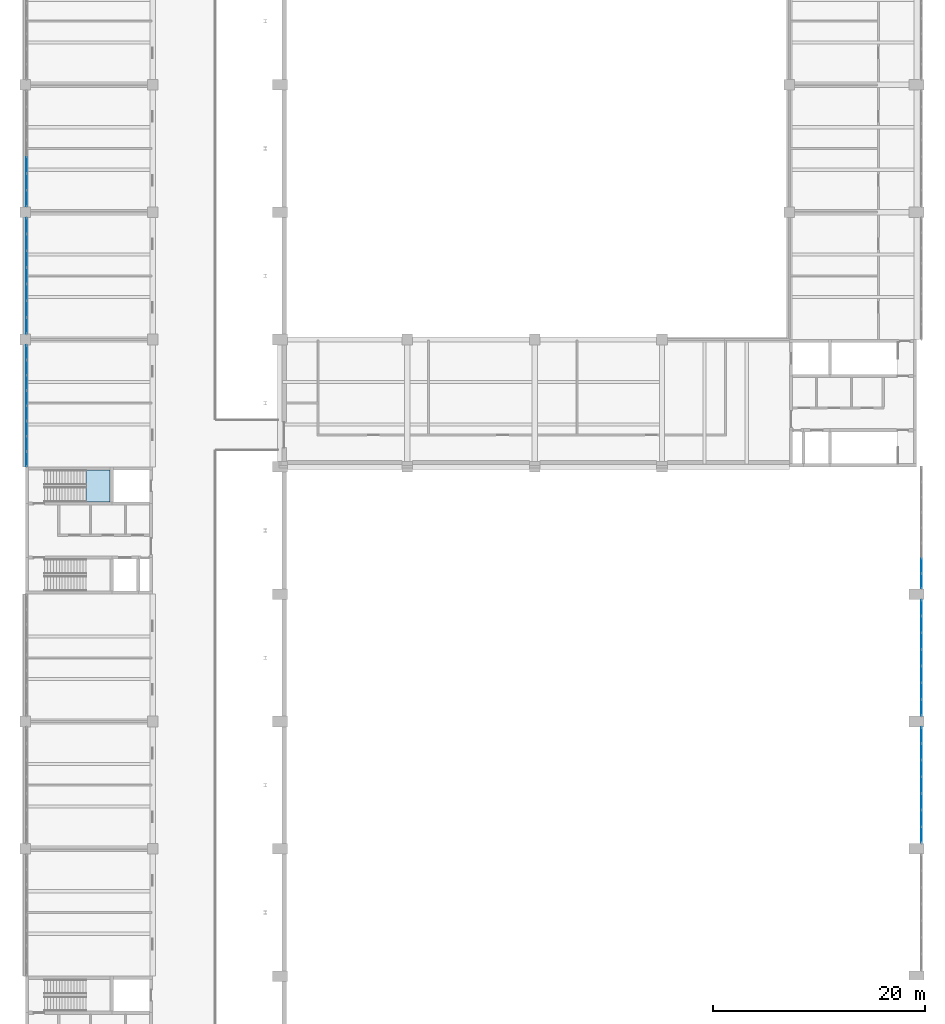
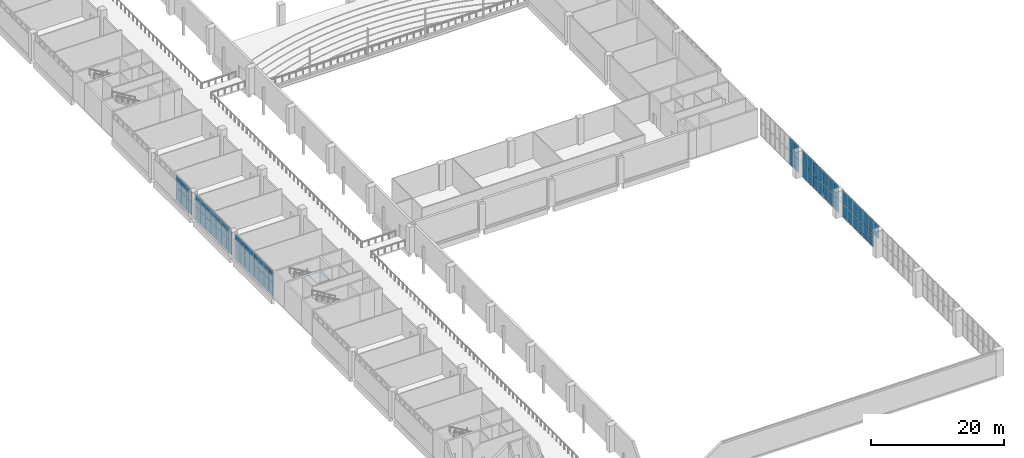
# One storey, part 44 of 69: 67 plates, 1 slab, 7 elements without a shape of their own.
"""IFC4 building model written with IfcOpenShell, lengths in metres."""

from ifc_helpers import new_model, si_unit, direction, frame, origin, origin_2d, place, context, subcontext, project, spatial, polyline, rectangle, outline, extrude, material, layer, layer_set, type_object, element, aggregate, save


model = new_model("IFC4")

# Units and contexts
model_context = context("Model", 3, precision=1e-05, world=origin(), true_north=direction((0.0, 1.0)))
body_context = subcontext(model_context, "Body", "Model", "MODEL_VIEW")
ifc_project = project(units=[si_unit("LENGTHUNIT", "METRE"), si_unit("AREAUNIT", "SQUARE_METRE"), si_unit("VOLUMEUNIT", "CUBIC_METRE"), si_unit("PLANEANGLEUNIT", "RADIAN"), si_unit("MASSUNIT", "GRAM", prefix="KILO")], contexts=[model_context])

# Site, building, storey
site_placement = place(None, origin())
site = spatial("IfcSite", under=ifc_project, at=site_placement, CompositionType="ELEMENT")
building_placement = place(site_placement, origin())
building = spatial("IfcBuilding", under=site, at=building_placement, Name="Lilac Gate Convention Centre", CompositionType="ELEMENT")
storey_placement = place(building_placement, frame((0.0, 0.0, 12.0)))
storey = spatial("IfcBuildingStorey", under=building, at=storey_placement, Name="L02", CompositionType="ELEMENT", Elevation=12.0)

# Curtain wall, plates
ifc_material_1 = material(Name="Aluminium framed double glazing", Category="aluminium")
ifc_layer_1 = layer(ifc_material_1, 0.199951171875)
ifc_layer_set_1 = layer_set([ifc_layer_1], Name="Aluminium framed double glazing")
curtain_wall_type = type_object("IfcCurtainWallType", Name="Unitised curtain wall 1500", PredefinedType="NOTDEFINED", material=ifc_layer_set_1)
curtain_wall_1_placement = place(storey_placement, origin())
curtain_wall_1 = element("IfcCurtainWall", 1, at=curtain_wall_1_placement, inside=storey, type_object=curtain_wall_type, Name="Curtain wall PW L02 6", PredefinedType="NOTDEFINED")
ifc_material_2 = material(Name="Double glazed unit low emissivity")
ifc_layer_2 = layer(ifc_material_2, 0.028076171875)
ifc_layer_set_2 = layer_set([ifc_layer_2], Name="Double glazed unit low emissivity")
plate_type_1 = type_object("IfcPlateType", Name="Curtain wall glass panel 28", PredefinedType="CURTAIN_PANEL", material=ifc_layer_set_2)
plate_1_placement = place(storey_placement, frame((6.10009765625, 130.428466796875, 2.4052734375), z_axis=(0.0, 0.0, 1.0), x_axis=(0.0, -1.0, 0.0)))
plate_1 = element("IfcPlate", 2, at=plate_1_placement, type_object=plate_type_1, Name="CW panel 5.2", PredefinedType="CURTAIN_PANEL", context=body_context, shape_type="SweptSolid", body=[
    extrude(rectangle(XDim=1.511474609375, YDim=0.028076171875, at=origin_2d()), origin(), (0.0, 0.0, 1.0), 2.284912109375),
])
plate_2_placement = place(storey_placement, frame((6.10009765625, 128.857177734375, 2.4052734375), z_axis=(0.0, 0.0, 1.0), x_axis=(0.0, -1.0, 0.0)))
plate_2 = element("IfcPlate", 3, at=plate_2_placement, type_object=plate_type_1, Name="CW panel 6.2", PredefinedType="CURTAIN_PANEL", context=body_context, shape_type="SweptSolid", body=[
    extrude(rectangle(XDim=1.511474609375, YDim=0.028076171875, at=origin_2d()), origin(), (0.0, 0.0, 1.0), 2.284912109375),
])
plate_3_placement = place(storey_placement, frame((6.10009765625, 127.30078125, 2.4052734375), z_axis=(0.0, 0.0, 1.0), x_axis=(0.0, -1.0, 0.0)))
plate_3 = element("IfcPlate", 4, at=plate_3_placement, type_object=plate_type_1, Name="CW panel 7.2", PredefinedType="CURTAIN_PANEL", context=body_context, shape_type="SweptSolid", body=[
    extrude(rectangle(XDim=1.4814453125, YDim=0.028076171875, at=origin_2d()), origin(), (0.0, 0.0, 1.0), 2.284912109375),
])

curtain_wall_2_placement = place(storey_placement, origin())
curtain_wall_2 = element("IfcCurtainWall", 5, at=curtain_wall_2_placement, inside=storey, type_object=curtain_wall_type, Name="Curtain wall PW L02 7", PredefinedType="NOTDEFINED")
plate_4_placement = place(storey_placement, frame((6.10009765625, 124.69921875, 2.4052734375), z_axis=(0.0, 0.0, 1.0), x_axis=(0.0, -1.0, 0.0)))
plate_4 = element("IfcPlate", 6, at=plate_4_placement, type_object=plate_type_1, Name="CW panel 1.2", PredefinedType="CURTAIN_PANEL", context=body_context, shape_type="SweptSolid", body=[
    extrude(rectangle(XDim=1.4814453125, YDim=0.028076171875, at=origin_2d()), origin(), (0.0, 0.0, 1.0), 2.284912109375),
])
plate_5_placement = place(storey_placement, frame((6.10009765625, 123.142822265625, 2.4052734375), z_axis=(0.0, 0.0, 1.0), x_axis=(0.0, -1.0, 0.0)))
plate_5 = element("IfcPlate", 7, at=plate_5_placement, type_object=plate_type_1, Name="CW panel 2.2", PredefinedType="CURTAIN_PANEL", context=body_context, shape_type="SweptSolid", body=[
    extrude(rectangle(XDim=1.511474609375, YDim=0.028076171875, at=origin_2d()), origin(), (0.0, 0.0, 1.0), 2.284912109375),
])
plate_6_placement = place(storey_placement, frame((6.10009765625, 121.571533203125, 2.4052734375), z_axis=(0.0, 0.0, 1.0), x_axis=(0.0, -1.0, 0.0)))
plate_6 = element("IfcPlate", 8, at=plate_6_placement, type_object=plate_type_1, Name="CW panel 3.2", PredefinedType="CURTAIN_PANEL", context=body_context, shape_type="SweptSolid", body=[
    extrude(rectangle(XDim=1.511474609375, YDim=0.028076171875, at=origin_2d()), origin(), (0.0, 0.0, 1.0), 2.284912109375),
])
plate_7_placement = place(storey_placement, frame((6.10009765625, 120.0, 2.4052734375), z_axis=(0.0, 0.0, 1.0), x_axis=(0.0, -1.0, 0.0)))
plate_7 = element("IfcPlate", 9, at=plate_7_placement, type_object=plate_type_1, Name="CW panel 4.2", PredefinedType="CURTAIN_PANEL", context=body_context, shape_type="SweptSolid", body=[
    extrude(rectangle(XDim=1.511474609375, YDim=0.028076171875, at=origin_2d()), origin(), (0.0, 0.0, 1.0), 2.284912109375),
])
plate_8_placement = place(storey_placement, frame((6.10009765625, 118.428466796875, 2.4052734375), z_axis=(0.0, 0.0, 1.0), x_axis=(0.0, -1.0, 0.0)))
plate_8 = element("IfcPlate", 10, at=plate_8_placement, type_object=plate_type_1, Name="CW panel 5.2", PredefinedType="CURTAIN_PANEL", context=body_context, shape_type="SweptSolid", body=[
    extrude(rectangle(XDim=1.511474609375, YDim=0.028076171875, at=origin_2d()), origin(), (0.0, 0.0, 1.0), 2.284912109375),
])
plate_9_placement = place(storey_placement, frame((6.10009765625, 116.857177734375, 2.4052734375), z_axis=(0.0, 0.0, 1.0), x_axis=(0.0, -1.0, 0.0)))
plate_9 = element("IfcPlate", 11, at=plate_9_placement, type_object=plate_type_1, Name="CW panel 6.2", PredefinedType="CURTAIN_PANEL", context=body_context, shape_type="SweptSolid", body=[
    extrude(rectangle(XDim=1.511474609375, YDim=0.028076171875, at=origin_2d()), origin(), (0.0, 0.0, 1.0), 2.284912109375),
])
plate_10_placement = place(storey_placement, frame((6.10009765625, 115.30078125, 2.4052734375), z_axis=(0.0, 0.0, 1.0), x_axis=(0.0, -1.0, 0.0)))
plate_10 = element("IfcPlate", 12, at=plate_10_placement, type_object=plate_type_1, Name="CW panel 7.2", PredefinedType="CURTAIN_PANEL", context=body_context, shape_type="SweptSolid", body=[
    extrude(rectangle(XDim=1.4814453125, YDim=0.028076171875, at=origin_2d()), origin(), (0.0, 0.0, 1.0), 2.284912109375),
])

curtain_wall_3_placement = place(storey_placement, origin())
curtain_wall_3 = element("IfcCurtainWall", 13, at=curtain_wall_3_placement, inside=storey, type_object=curtain_wall_type, Name="Curtain wall PW L02 8", PredefinedType="NOTDEFINED")
plate_11_placement = place(storey_placement, frame((6.10009765625, 112.766357421875, 2.4052734375), z_axis=(0.0, 0.0, 1.0), x_axis=(0.0, -1.0, 0.0)))
plate_11 = element("IfcPlate", 14, at=plate_11_placement, type_object=plate_type_1, Name="CW panel 1.2", PredefinedType="CURTAIN_PANEL", context=body_context, shape_type="SweptSolid", body=[
    extrude(rectangle(XDim=1.347412109375, YDim=0.028076171875, at=origin_2d()), origin(), (0.0, 0.0, 1.0), 2.284912109375),
])
plate_12_placement = place(storey_placement, frame((6.10009765625, 111.34375, 2.4052734375), z_axis=(0.0, 0.0, 1.0), x_axis=(0.0, -1.0, 0.0)))
plate_12 = element("IfcPlate", 15, at=plate_12_placement, type_object=plate_type_1, Name="CW panel 2.2", PredefinedType="CURTAIN_PANEL", context=body_context, shape_type="SweptSolid", body=[
    extrude(rectangle(XDim=1.37744140625, YDim=0.028076171875, at=origin_2d()), origin(), (0.0, 0.0, 1.0), 2.284912109375),
])
plate_13_placement = place(storey_placement, frame((6.10009765625, 109.90625, 2.4052734375), z_axis=(0.0, 0.0, 1.0), x_axis=(0.0, -1.0, 0.0)))
plate_13 = element("IfcPlate", 16, at=plate_13_placement, type_object=plate_type_1, Name="CW panel 3.2", PredefinedType="CURTAIN_PANEL", context=body_context, shape_type="SweptSolid", body=[
    extrude(rectangle(XDim=1.37744140625, YDim=0.028076171875, at=origin_2d()), origin(), (0.0, 0.0, 1.0), 2.284912109375),
])
plate_14_placement = place(storey_placement, frame((6.10009765625, 108.46875, 2.4052734375), z_axis=(0.0, 0.0, 1.0), x_axis=(0.0, -1.0, 0.0)))
plate_14 = element("IfcPlate", 17, at=plate_14_placement, type_object=plate_type_1, Name="CW panel 4.2", PredefinedType="CURTAIN_PANEL", context=body_context, shape_type="SweptSolid", body=[
    extrude(rectangle(XDim=1.37744140625, YDim=0.028076171875, at=origin_2d()), origin(), (0.0, 0.0, 1.0), 2.284912109375),
])
plate_15_placement = place(storey_placement, frame((6.10009765625, 107.03125, 2.4052734375), z_axis=(0.0, 0.0, 1.0), x_axis=(0.0, -1.0, 0.0)))
plate_15 = element("IfcPlate", 18, at=plate_15_placement, type_object=plate_type_1, Name="CW panel 5.2", PredefinedType="CURTAIN_PANEL", context=body_context, shape_type="SweptSolid", body=[
    extrude(rectangle(XDim=1.37744140625, YDim=0.028076171875, at=origin_2d()), origin(), (0.0, 0.0, 1.0), 2.284912109375),
])
plate_16_placement = place(storey_placement, frame((6.10009765625, 105.59375, 2.4052734375), z_axis=(0.0, 0.0, 1.0), x_axis=(0.0, -1.0, 0.0)))
plate_16 = element("IfcPlate", 19, at=plate_16_placement, type_object=plate_type_1, Name="CW panel 6.2", PredefinedType="CURTAIN_PANEL", context=body_context, shape_type="SweptSolid", body=[
    extrude(rectangle(XDim=1.37744140625, YDim=0.028076171875, at=origin_2d()), origin(), (0.0, 0.0, 1.0), 2.284912109375),
])
plate_17_placement = place(storey_placement, frame((6.10009765625, 104.15625, 2.4052734375), z_axis=(0.0, 0.0, 1.0), x_axis=(0.0, -1.0, 0.0)))
plate_17 = element("IfcPlate", 20, at=plate_17_placement, type_object=plate_type_1, Name="CW panel 7.2", PredefinedType="CURTAIN_PANEL", context=body_context, shape_type="SweptSolid", body=[
    extrude(rectangle(XDim=1.37744140625, YDim=0.028076171875, at=origin_2d()), origin(), (0.0, 0.0, 1.0), 2.284912109375),
])
plate_18_placement = place(storey_placement, frame((6.10009765625, 102.733642578125, 2.4052734375), z_axis=(0.0, 0.0, 1.0), x_axis=(0.0, -1.0, 0.0)))
plate_18 = element("IfcPlate", 21, at=plate_18_placement, type_object=plate_type_1, Name="CW panel 8.2", PredefinedType="CURTAIN_PANEL", context=body_context, shape_type="SweptSolid", body=[
    extrude(rectangle(XDim=1.347412109375, YDim=0.028076171875, at=origin_2d()), origin(), (0.0, 0.0, 1.0), 2.284912109375),
])

curtain_wall_4_placement = place(storey_placement, origin())
curtain_wall_4 = element("IfcCurtainWall", 22, at=curtain_wall_4_placement, inside=storey, type_object=curtain_wall_type, Name="Curtain wall HE L02 4", PredefinedType="NOTDEFINED")
plate_19_placement = place(storey_placement, frame((90.449951171875, 67.30078125, 2.5302734375), z_axis=(0.0, 0.0, 1.0), x_axis=(0.0, 1.0, 0.0)))
plate_19 = element("IfcPlate", 23, at=plate_19_placement, type_object=plate_type_1, Name="CW panel 1.2", PredefinedType="CURTAIN_PANEL", context=body_context, shape_type="SweptSolid", body=[
    extrude(rectangle(XDim=1.4814453125, YDim=0.028076171875, at=origin_2d()), origin(), (0.0, 0.0, 1.0), 2.409912109375),
])
plate_20_placement = place(storey_placement, frame((90.449951171875, 68.857177734375, 2.5302734375), z_axis=(0.0, 0.0, 1.0), x_axis=(0.0, 1.0, 0.0)))
plate_20 = element("IfcPlate", 24, at=plate_20_placement, type_object=plate_type_1, Name="CW panel 2.2", PredefinedType="CURTAIN_PANEL", context=body_context, shape_type="SweptSolid", body=[
    extrude(rectangle(XDim=1.511474609375, YDim=0.028076171875, at=origin_2d()), origin(), (0.0, 0.0, 1.0), 2.409912109375),
])
plate_21_placement = place(storey_placement, frame((90.449951171875, 70.428466796875, 2.5302734375), z_axis=(0.0, 0.0, 1.0), x_axis=(0.0, 1.0, 0.0)))
plate_21 = element("IfcPlate", 25, at=plate_21_placement, type_object=plate_type_1, Name="CW panel 3.2", PredefinedType="CURTAIN_PANEL", context=body_context, shape_type="SweptSolid", body=[
    extrude(rectangle(XDim=1.511474609375, YDim=0.028076171875, at=origin_2d()), origin(), (0.0, 0.0, 1.0), 2.409912109375),
])
plate_22_placement = place(storey_placement, frame((90.449951171875, 72.0, 2.5302734375), z_axis=(0.0, 0.0, 1.0), x_axis=(0.0, 1.0, 0.0)))
plate_22 = element("IfcPlate", 26, at=plate_22_placement, type_object=plate_type_1, Name="CW panel 4.2", PredefinedType="CURTAIN_PANEL", context=body_context, shape_type="SweptSolid", body=[
    extrude(rectangle(XDim=1.511474609375, YDim=0.028076171875, at=origin_2d()), origin(), (0.0, 0.0, 1.0), 2.409912109375),
])
plate_23_placement = place(storey_placement, frame((90.449951171875, 73.571533203125, 2.5302734375), z_axis=(0.0, 0.0, 1.0), x_axis=(0.0, 1.0, 0.0)))
plate_23 = element("IfcPlate", 27, at=plate_23_placement, type_object=plate_type_1, Name="CW panel 5.2", PredefinedType="CURTAIN_PANEL", context=body_context, shape_type="SweptSolid", body=[
    extrude(rectangle(XDim=1.511474609375, YDim=0.028076171875, at=origin_2d()), origin(), (0.0, 0.0, 1.0), 2.409912109375),
])
plate_24_placement = place(storey_placement, frame((90.449951171875, 75.142822265625, 2.5302734375), z_axis=(0.0, 0.0, 1.0), x_axis=(0.0, 1.0, 0.0)))
plate_24 = element("IfcPlate", 28, at=plate_24_placement, type_object=plate_type_1, Name="CW panel 6.2", PredefinedType="CURTAIN_PANEL", context=body_context, shape_type="SweptSolid", body=[
    extrude(rectangle(XDim=1.511474609375, YDim=0.028076171875, at=origin_2d()), origin(), (0.0, 0.0, 1.0), 2.409912109375),
])
plate_25_placement = place(storey_placement, frame((90.449951171875, 76.69921875, 2.5302734375), z_axis=(0.0, 0.0, 1.0), x_axis=(0.0, 1.0, 0.0)))
plate_25 = element("IfcPlate", 29, at=plate_25_placement, type_object=plate_type_1, Name="CW panel 7.2", PredefinedType="CURTAIN_PANEL", context=body_context, shape_type="SweptSolid", body=[
    extrude(rectangle(XDim=1.4814453125, YDim=0.028076171875, at=origin_2d()), origin(), (0.0, 0.0, 1.0), 2.409912109375),
])

curtain_wall_5_placement = place(storey_placement, origin())
curtain_wall_5 = element("IfcCurtainWall", 30, at=curtain_wall_5_placement, inside=storey, type_object=curtain_wall_type, Name="Curtain wall HE L02 5", PredefinedType="NOTDEFINED")
plate_26_placement = place(storey_placement, frame((90.449951171875, 79.30078125, 2.5302734375), z_axis=(0.0, 0.0, 1.0), x_axis=(0.0, 1.0, 0.0)))
plate_26 = element("IfcPlate", 31, at=plate_26_placement, type_object=plate_type_1, Name="CW panel 1.2", PredefinedType="CURTAIN_PANEL", context=body_context, shape_type="SweptSolid", body=[
    extrude(rectangle(XDim=1.4814453125, YDim=0.028076171875, at=origin_2d()), origin(), (0.0, 0.0, 1.0), 2.409912109375),
])
plate_27_placement = place(storey_placement, frame((90.449951171875, 80.857177734375, 2.5302734375), z_axis=(0.0, 0.0, 1.0), x_axis=(0.0, 1.0, 0.0)))
plate_27 = element("IfcPlate", 32, at=plate_27_placement, type_object=plate_type_1, Name="CW panel 2.2", PredefinedType="CURTAIN_PANEL", context=body_context, shape_type="SweptSolid", body=[
    extrude(rectangle(XDim=1.511474609375, YDim=0.028076171875, at=origin_2d()), origin(), (0.0, 0.0, 1.0), 2.409912109375),
])
plate_28_placement = place(storey_placement, frame((90.449951171875, 82.428466796875, 2.5302734375), z_axis=(0.0, 0.0, 1.0), x_axis=(0.0, 1.0, 0.0)))
plate_28 = element("IfcPlate", 33, at=plate_28_placement, type_object=plate_type_1, Name="CW panel 3.2", PredefinedType="CURTAIN_PANEL", context=body_context, shape_type="SweptSolid", body=[
    extrude(rectangle(XDim=1.511474609375, YDim=0.028076171875, at=origin_2d()), origin(), (0.0, 0.0, 1.0), 2.409912109375),
])
plate_29_placement = place(storey_placement, frame((90.449951171875, 84.0, 2.5302734375), z_axis=(0.0, 0.0, 1.0), x_axis=(0.0, 1.0, 0.0)))
plate_29 = element("IfcPlate", 34, at=plate_29_placement, type_object=plate_type_1, Name="CW panel 4.2", PredefinedType="CURTAIN_PANEL", context=body_context, shape_type="SweptSolid", body=[
    extrude(rectangle(XDim=1.511474609375, YDim=0.028076171875, at=origin_2d()), origin(), (0.0, 0.0, 1.0), 2.409912109375),
])
plate_30_placement = place(storey_placement, frame((90.449951171875, 85.571533203125, 2.5302734375), z_axis=(0.0, 0.0, 1.0), x_axis=(0.0, 1.0, 0.0)))
plate_30 = element("IfcPlate", 35, at=plate_30_placement, type_object=plate_type_1, Name="CW panel 5.2", PredefinedType="CURTAIN_PANEL", context=body_context, shape_type="SweptSolid", body=[
    extrude(rectangle(XDim=1.511474609375, YDim=0.028076171875, at=origin_2d()), origin(), (0.0, 0.0, 1.0), 2.409912109375),
])
plate_31_placement = place(storey_placement, frame((90.449951171875, 87.142822265625, 2.5302734375), z_axis=(0.0, 0.0, 1.0), x_axis=(0.0, 1.0, 0.0)))
plate_31 = element("IfcPlate", 36, at=plate_31_placement, type_object=plate_type_1, Name="CW panel 6.2", PredefinedType="CURTAIN_PANEL", context=body_context, shape_type="SweptSolid", body=[
    extrude(rectangle(XDim=1.511474609375, YDim=0.028076171875, at=origin_2d()), origin(), (0.0, 0.0, 1.0), 2.409912109375),
])
plate_32_placement = place(storey_placement, frame((90.449951171875, 88.69921875, 2.5302734375), z_axis=(0.0, 0.0, 1.0), x_axis=(0.0, 1.0, 0.0)))
plate_32 = element("IfcPlate", 37, at=plate_32_placement, type_object=plate_type_1, Name="CW panel 7.2", PredefinedType="CURTAIN_PANEL", context=body_context, shape_type="SweptSolid", body=[
    extrude(rectangle(XDim=1.4814453125, YDim=0.028076171875, at=origin_2d()), origin(), (0.0, 0.0, 1.0), 2.409912109375),
])

curtain_wall_6_placement = place(storey_placement, origin())
curtain_wall_6 = element("IfcCurtainWall", 38, at=curtain_wall_6_placement, inside=storey, type_object=curtain_wall_type, Name="Curtain wall HE L02 6", PredefinedType="NOTDEFINED")
plate_33_placement = place(storey_placement, frame((90.449951171875, 91.233642578125, 2.5302734375), z_axis=(0.0, 0.0, 1.0), x_axis=(0.0, 1.0, 0.0)))
plate_33 = element("IfcPlate", 39, at=plate_33_placement, type_object=plate_type_1, Name="CW panel 1.2", PredefinedType="CURTAIN_PANEL", context=body_context, shape_type="SweptSolid", body=[
    extrude(rectangle(XDim=1.347412109375, YDim=0.028076171875, at=origin_2d()), origin(), (0.0, 0.0, 1.0), 2.409912109375),
])
plate_34_placement = place(storey_placement, frame((90.449951171875, 92.65625, 2.5302734375), z_axis=(0.0, 0.0, 1.0), x_axis=(0.0, 1.0, 0.0)))
plate_34 = element("IfcPlate", 40, at=plate_34_placement, type_object=plate_type_1, Name="CW panel 2.2", PredefinedType="CURTAIN_PANEL", context=body_context, shape_type="SweptSolid", body=[
    extrude(rectangle(XDim=1.37744140625, YDim=0.028076171875, at=origin_2d()), origin(), (0.0, 0.0, 1.0), 2.409912109375),
])

# Plate
ifc_material_3 = material(Name="Insulated aluminium spandrel panel", Category="aluminium")
ifc_layer_3 = layer(ifc_material_3, 0.028076171875)
ifc_layer_set_3 = layer_set([ifc_layer_3], Name="Insulated aluminium spandrel panel")
plate_type_2 = type_object("IfcPlateType", Name="Curtain wall spandrel panel 28", PredefinedType="CURTAIN_PANEL", material=ifc_layer_set_3)
plate_35_placement = place(storey_placement, frame((6.10009765625, 130.428466796875, 0.06005859375), z_axis=(0.0, 0.0, 1.0), x_axis=(0.0, -1.0, 0.0)))
plate_35 = element("IfcPlate", 41, at=plate_35_placement, type_object=plate_type_2, Name="CW spandrel 5.1", PredefinedType="CURTAIN_PANEL", context=body_context, shape_type="SweptSolid", body=[
    extrude(rectangle(XDim=1.511474609375, YDim=0.028076171875, at=origin_2d()), origin(), (0.0, 0.0, 1.0), 2.284912109375),
])

plate_36_placement = place(storey_placement, frame((6.10009765625, 128.857177734375, 0.06005859375), z_axis=(0.0, 0.0, 1.0), x_axis=(0.0, -1.0, 0.0)))
plate_36 = element("IfcPlate", 42, at=plate_36_placement, type_object=plate_type_2, Name="CW spandrel 6.1", PredefinedType="CURTAIN_PANEL", context=body_context, shape_type="SweptSolid", body=[
    extrude(rectangle(XDim=1.511474609375, YDim=0.028076171875, at=origin_2d()), origin(), (0.0, 0.0, 1.0), 2.284912109375),
])

plate_37_placement = place(storey_placement, frame((6.10009765625, 127.30078125, 0.06005859375), z_axis=(0.0, 0.0, 1.0), x_axis=(0.0, -1.0, 0.0)))
plate_37 = element("IfcPlate", 43, at=plate_37_placement, type_object=plate_type_2, Name="CW spandrel 7.1", PredefinedType="CURTAIN_PANEL", context=body_context, shape_type="SweptSolid", body=[
    extrude(rectangle(XDim=1.4814453125, YDim=0.028076171875, at=origin_2d()), origin(), (0.0, 0.0, 1.0), 2.284912109375),
])

aggregate(curtain_wall_1, [plate_35, plate_1, plate_36, plate_2, plate_37, plate_3])

plate_38_placement = place(storey_placement, frame((6.10009765625, 124.69921875, 0.06005859375), z_axis=(0.0, 0.0, 1.0), x_axis=(0.0, -1.0, 0.0)))
plate_38 = element("IfcPlate", 44, at=plate_38_placement, type_object=plate_type_2, Name="CW spandrel 1.1", PredefinedType="CURTAIN_PANEL", context=body_context, shape_type="SweptSolid", body=[
    extrude(rectangle(XDim=1.4814453125, YDim=0.028076171875, at=origin_2d()), origin(), (0.0, 0.0, 1.0), 2.284912109375),
])

plate_39_placement = place(storey_placement, frame((6.10009765625, 123.142822265625, 0.06005859375), z_axis=(0.0, 0.0, 1.0), x_axis=(0.0, -1.0, 0.0)))
plate_39 = element("IfcPlate", 45, at=plate_39_placement, type_object=plate_type_2, Name="CW spandrel 2.1", PredefinedType="CURTAIN_PANEL", context=body_context, shape_type="SweptSolid", body=[
    extrude(rectangle(XDim=1.511474609375, YDim=0.028076171875, at=origin_2d()), origin(), (0.0, 0.0, 1.0), 2.284912109375),
])

plate_40_placement = place(storey_placement, frame((6.10009765625, 121.571533203125, 0.06005859375), z_axis=(0.0, 0.0, 1.0), x_axis=(0.0, -1.0, 0.0)))
plate_40 = element("IfcPlate", 46, at=plate_40_placement, type_object=plate_type_2, Name="CW spandrel 3.1", PredefinedType="CURTAIN_PANEL", context=body_context, shape_type="SweptSolid", body=[
    extrude(rectangle(XDim=1.511474609375, YDim=0.028076171875, at=origin_2d()), origin(), (0.0, 0.0, 1.0), 2.284912109375),
])

plate_41_placement = place(storey_placement, frame((6.10009765625, 120.0, 0.06005859375), z_axis=(0.0, 0.0, 1.0), x_axis=(0.0, -1.0, 0.0)))
plate_41 = element("IfcPlate", 47, at=plate_41_placement, type_object=plate_type_2, Name="CW spandrel 4.1", PredefinedType="CURTAIN_PANEL", context=body_context, shape_type="SweptSolid", body=[
    extrude(rectangle(XDim=1.511474609375, YDim=0.028076171875, at=origin_2d()), origin(), (0.0, 0.0, 1.0), 2.284912109375),
])

plate_42_placement = place(storey_placement, frame((6.10009765625, 118.428466796875, 0.06005859375), z_axis=(0.0, 0.0, 1.0), x_axis=(0.0, -1.0, 0.0)))
plate_42 = element("IfcPlate", 48, at=plate_42_placement, type_object=plate_type_2, Name="CW spandrel 5.1", PredefinedType="CURTAIN_PANEL", context=body_context, shape_type="SweptSolid", body=[
    extrude(rectangle(XDim=1.511474609375, YDim=0.028076171875, at=origin_2d()), origin(), (0.0, 0.0, 1.0), 2.284912109375),
])

plate_43_placement = place(storey_placement, frame((6.10009765625, 116.857177734375, 0.06005859375), z_axis=(0.0, 0.0, 1.0), x_axis=(0.0, -1.0, 0.0)))
plate_43 = element("IfcPlate", 49, at=plate_43_placement, type_object=plate_type_2, Name="CW spandrel 6.1", PredefinedType="CURTAIN_PANEL", context=body_context, shape_type="SweptSolid", body=[
    extrude(rectangle(XDim=1.511474609375, YDim=0.028076171875, at=origin_2d()), origin(), (0.0, 0.0, 1.0), 2.284912109375),
])

plate_44_placement = place(storey_placement, frame((6.10009765625, 115.30078125, 0.06005859375), z_axis=(0.0, 0.0, 1.0), x_axis=(0.0, -1.0, 0.0)))
plate_44 = element("IfcPlate", 50, at=plate_44_placement, type_object=plate_type_2, Name="CW spandrel 7.1", PredefinedType="CURTAIN_PANEL", context=body_context, shape_type="SweptSolid", body=[
    extrude(rectangle(XDim=1.4814453125, YDim=0.028076171875, at=origin_2d()), origin(), (0.0, 0.0, 1.0), 2.284912109375),
])

aggregate(curtain_wall_2, [plate_38, plate_4, plate_39, plate_5, plate_40, plate_6, plate_41, plate_7, plate_42, plate_8, plate_43, plate_9, plate_44, plate_10])

plate_45_placement = place(storey_placement, frame((6.10009765625, 112.766357421875, 0.06005859375), z_axis=(0.0, 0.0, 1.0), x_axis=(0.0, -1.0, 0.0)))
plate_45 = element("IfcPlate", 51, at=plate_45_placement, type_object=plate_type_2, Name="CW spandrel 1.1", PredefinedType="CURTAIN_PANEL", context=body_context, shape_type="SweptSolid", body=[
    extrude(rectangle(XDim=1.347412109375, YDim=0.028076171875, at=origin_2d()), origin(), (0.0, 0.0, 1.0), 2.284912109375),
])

plate_46_placement = place(storey_placement, frame((6.10009765625, 111.34375, 0.06005859375), z_axis=(0.0, 0.0, 1.0), x_axis=(0.0, -1.0, 0.0)))
plate_46 = element("IfcPlate", 52, at=plate_46_placement, type_object=plate_type_2, Name="CW spandrel 2.1", PredefinedType="CURTAIN_PANEL", context=body_context, shape_type="SweptSolid", body=[
    extrude(rectangle(XDim=1.37744140625, YDim=0.028076171875, at=origin_2d()), origin(), (0.0, 0.0, 1.0), 2.284912109375),
])

plate_47_placement = place(storey_placement, frame((6.10009765625, 109.90625, 0.06005859375), z_axis=(0.0, 0.0, 1.0), x_axis=(0.0, -1.0, 0.0)))
plate_47 = element("IfcPlate", 53, at=plate_47_placement, type_object=plate_type_2, Name="CW spandrel 3.1", PredefinedType="CURTAIN_PANEL", context=body_context, shape_type="SweptSolid", body=[
    extrude(rectangle(XDim=1.37744140625, YDim=0.028076171875, at=origin_2d()), origin(), (0.0, 0.0, 1.0), 2.284912109375),
])

plate_48_placement = place(storey_placement, frame((6.10009765625, 108.46875, 0.06005859375), z_axis=(0.0, 0.0, 1.0), x_axis=(0.0, -1.0, 0.0)))
plate_48 = element("IfcPlate", 54, at=plate_48_placement, type_object=plate_type_2, Name="CW spandrel 4.1", PredefinedType="CURTAIN_PANEL", context=body_context, shape_type="SweptSolid", body=[
    extrude(rectangle(XDim=1.37744140625, YDim=0.028076171875, at=origin_2d()), origin(), (0.0, 0.0, 1.0), 2.284912109375),
])

plate_49_placement = place(storey_placement, frame((6.10009765625, 107.03125, 0.06005859375), z_axis=(0.0, 0.0, 1.0), x_axis=(0.0, -1.0, 0.0)))
plate_49 = element("IfcPlate", 55, at=plate_49_placement, type_object=plate_type_2, Name="CW spandrel 5.1", PredefinedType="CURTAIN_PANEL", context=body_context, shape_type="SweptSolid", body=[
    extrude(rectangle(XDim=1.37744140625, YDim=0.028076171875, at=origin_2d()), origin(), (0.0, 0.0, 1.0), 2.284912109375),
])

plate_50_placement = place(storey_placement, frame((6.10009765625, 105.59375, 0.06005859375), z_axis=(0.0, 0.0, 1.0), x_axis=(0.0, -1.0, 0.0)))
plate_50 = element("IfcPlate", 56, at=plate_50_placement, type_object=plate_type_2, Name="CW spandrel 6.1", PredefinedType="CURTAIN_PANEL", context=body_context, shape_type="SweptSolid", body=[
    extrude(rectangle(XDim=1.37744140625, YDim=0.028076171875, at=origin_2d()), origin(), (0.0, 0.0, 1.0), 2.284912109375),
])

plate_51_placement = place(storey_placement, frame((6.10009765625, 104.15625, 0.06005859375), z_axis=(0.0, 0.0, 1.0), x_axis=(0.0, -1.0, 0.0)))
plate_51 = element("IfcPlate", 57, at=plate_51_placement, type_object=plate_type_2, Name="CW spandrel 7.1", PredefinedType="CURTAIN_PANEL", context=body_context, shape_type="SweptSolid", body=[
    extrude(rectangle(XDim=1.37744140625, YDim=0.028076171875, at=origin_2d()), origin(), (0.0, 0.0, 1.0), 2.284912109375),
])

plate_52_placement = place(storey_placement, frame((6.10009765625, 102.733642578125, 0.06005859375), z_axis=(0.0, 0.0, 1.0), x_axis=(0.0, -1.0, 0.0)))
plate_52 = element("IfcPlate", 58, at=plate_52_placement, type_object=plate_type_2, Name="CW spandrel 8.1", PredefinedType="CURTAIN_PANEL", context=body_context, shape_type="SweptSolid", body=[
    extrude(rectangle(XDim=1.347412109375, YDim=0.028076171875, at=origin_2d()), origin(), (0.0, 0.0, 1.0), 2.284912109375),
])

aggregate(curtain_wall_3, [plate_45, plate_11, plate_46, plate_12, plate_47, plate_13, plate_48, plate_14, plate_49, plate_15, plate_50, plate_16, plate_51, plate_17, plate_52, plate_18])

plate_53_placement = place(storey_placement, frame((90.449951171875, 68.857177734375, 0.06005859375), z_axis=(0.0, 0.0, 1.0), x_axis=(0.0, 1.0, 0.0)))
plate_53 = element("IfcPlate", 59, at=plate_53_placement, type_object=plate_type_2, Name="CW spandrel 2.1", PredefinedType="CURTAIN_PANEL", context=body_context, shape_type="SweptSolid", body=[
    extrude(rectangle(XDim=1.511474609375, YDim=0.028076171875, at=origin_2d()), origin(), (0.0, 0.0, 1.0), 2.409912109375),
])

plate_54_placement = place(storey_placement, frame((90.449951171875, 70.428466796875, 0.06005859375), z_axis=(0.0, 0.0, 1.0), x_axis=(0.0, 1.0, 0.0)))
plate_54 = element("IfcPlate", 60, at=plate_54_placement, type_object=plate_type_2, Name="CW spandrel 3.1", PredefinedType="CURTAIN_PANEL", context=body_context, shape_type="SweptSolid", body=[
    extrude(rectangle(XDim=1.511474609375, YDim=0.028076171875, at=origin_2d()), origin(), (0.0, 0.0, 1.0), 2.409912109375),
])

plate_55_placement = place(storey_placement, frame((90.449951171875, 72.0, 0.06005859375), z_axis=(0.0, 0.0, 1.0), x_axis=(0.0, 1.0, 0.0)))
plate_55 = element("IfcPlate", 61, at=plate_55_placement, type_object=plate_type_2, Name="CW spandrel 4.1", PredefinedType="CURTAIN_PANEL", context=body_context, shape_type="SweptSolid", body=[
    extrude(rectangle(XDim=1.511474609375, YDim=0.028076171875, at=origin_2d()), origin(), (0.0, 0.0, 1.0), 2.409912109375),
])

plate_56_placement = place(storey_placement, frame((90.449951171875, 73.571533203125, 0.06005859375), z_axis=(0.0, 0.0, 1.0), x_axis=(0.0, 1.0, 0.0)))
plate_56 = element("IfcPlate", 62, at=plate_56_placement, type_object=plate_type_2, Name="CW spandrel 5.1", PredefinedType="CURTAIN_PANEL", context=body_context, shape_type="SweptSolid", body=[
    extrude(rectangle(XDim=1.511474609375, YDim=0.028076171875, at=origin_2d()), origin(), (0.0, 0.0, 1.0), 2.409912109375),
])

plate_57_placement = place(storey_placement, frame((90.449951171875, 75.142822265625, 0.06005859375), z_axis=(0.0, 0.0, 1.0), x_axis=(0.0, 1.0, 0.0)))
plate_57 = element("IfcPlate", 63, at=plate_57_placement, type_object=plate_type_2, Name="CW spandrel 6.1", PredefinedType="CURTAIN_PANEL", context=body_context, shape_type="SweptSolid", body=[
    extrude(rectangle(XDim=1.511474609375, YDim=0.028076171875, at=origin_2d()), origin(), (0.0, 0.0, 1.0), 2.409912109375),
])

plate_58_placement = place(storey_placement, frame((90.449951171875, 76.69921875, 0.06005859375), z_axis=(0.0, 0.0, 1.0), x_axis=(0.0, 1.0, 0.0)))
plate_58 = element("IfcPlate", 64, at=plate_58_placement, type_object=plate_type_2, Name="CW spandrel 7.1", PredefinedType="CURTAIN_PANEL", context=body_context, shape_type="SweptSolid", body=[
    extrude(rectangle(XDim=1.4814453125, YDim=0.028076171875, at=origin_2d()), origin(), (0.0, 0.0, 1.0), 2.409912109375),
])

aggregate(curtain_wall_4, [plate_19, plate_53, plate_20, plate_54, plate_21, plate_55, plate_22, plate_56, plate_23, plate_57, plate_24, plate_58, plate_25])

plate_59_placement = place(storey_placement, frame((90.449951171875, 79.30078125, 0.06005859375), z_axis=(0.0, 0.0, 1.0), x_axis=(0.0, 1.0, 0.0)))
plate_59 = element("IfcPlate", 65, at=plate_59_placement, type_object=plate_type_2, Name="CW spandrel 1.1", PredefinedType="CURTAIN_PANEL", context=body_context, shape_type="SweptSolid", body=[
    extrude(rectangle(XDim=1.4814453125, YDim=0.028076171875, at=origin_2d()), origin(), (0.0, 0.0, 1.0), 2.409912109375),
])

plate_60_placement = place(storey_placement, frame((90.449951171875, 80.857177734375, 0.06005859375), z_axis=(0.0, 0.0, 1.0), x_axis=(0.0, 1.0, 0.0)))
plate_60 = element("IfcPlate", 66, at=plate_60_placement, type_object=plate_type_2, Name="CW spandrel 2.1", PredefinedType="CURTAIN_PANEL", context=body_context, shape_type="SweptSolid", body=[
    extrude(rectangle(XDim=1.511474609375, YDim=0.028076171875, at=origin_2d()), origin(), (0.0, 0.0, 1.0), 2.409912109375),
])

plate_61_placement = place(storey_placement, frame((90.449951171875, 82.428466796875, 0.06005859375), z_axis=(0.0, 0.0, 1.0), x_axis=(0.0, 1.0, 0.0)))
plate_61 = element("IfcPlate", 67, at=plate_61_placement, type_object=plate_type_2, Name="CW spandrel 3.1", PredefinedType="CURTAIN_PANEL", context=body_context, shape_type="SweptSolid", body=[
    extrude(rectangle(XDim=1.511474609375, YDim=0.028076171875, at=origin_2d()), origin(), (0.0, 0.0, 1.0), 2.409912109375),
])

plate_62_placement = place(storey_placement, frame((90.449951171875, 84.0, 0.06005859375), z_axis=(0.0, 0.0, 1.0), x_axis=(0.0, 1.0, 0.0)))
plate_62 = element("IfcPlate", 68, at=plate_62_placement, type_object=plate_type_2, Name="CW spandrel 4.1", PredefinedType="CURTAIN_PANEL", context=body_context, shape_type="SweptSolid", body=[
    extrude(rectangle(XDim=1.511474609375, YDim=0.028076171875, at=origin_2d()), origin(), (0.0, 0.0, 1.0), 2.409912109375),
])

plate_63_placement = place(storey_placement, frame((90.449951171875, 85.571533203125, 0.06005859375), z_axis=(0.0, 0.0, 1.0), x_axis=(0.0, 1.0, 0.0)))
plate_63 = element("IfcPlate", 69, at=plate_63_placement, type_object=plate_type_2, Name="CW spandrel 5.1", PredefinedType="CURTAIN_PANEL", context=body_context, shape_type="SweptSolid", body=[
    extrude(rectangle(XDim=1.511474609375, YDim=0.028076171875, at=origin_2d()), origin(), (0.0, 0.0, 1.0), 2.409912109375),
])

plate_64_placement = place(storey_placement, frame((90.449951171875, 87.142822265625, 0.06005859375), z_axis=(0.0, 0.0, 1.0), x_axis=(0.0, 1.0, 0.0)))
plate_64 = element("IfcPlate", 70, at=plate_64_placement, type_object=plate_type_2, Name="CW spandrel 6.1", PredefinedType="CURTAIN_PANEL", context=body_context, shape_type="SweptSolid", body=[
    extrude(rectangle(XDim=1.511474609375, YDim=0.028076171875, at=origin_2d()), origin(), (0.0, 0.0, 1.0), 2.409912109375),
])

plate_65_placement = place(storey_placement, frame((90.449951171875, 88.69921875, 0.06005859375), z_axis=(0.0, 0.0, 1.0), x_axis=(0.0, 1.0, 0.0)))
plate_65 = element("IfcPlate", 71, at=plate_65_placement, type_object=plate_type_2, Name="CW spandrel 7.1", PredefinedType="CURTAIN_PANEL", context=body_context, shape_type="SweptSolid", body=[
    extrude(rectangle(XDim=1.4814453125, YDim=0.028076171875, at=origin_2d()), origin(), (0.0, 0.0, 1.0), 2.409912109375),
])

aggregate(curtain_wall_5, [plate_59, plate_26, plate_60, plate_27, plate_61, plate_28, plate_62, plate_29, plate_63, plate_30, plate_64, plate_31, plate_65, plate_32])

plate_66_placement = place(storey_placement, frame((90.449951171875, 91.233642578125, 0.06005859375), z_axis=(0.0, 0.0, 1.0), x_axis=(0.0, 1.0, 0.0)))
plate_66 = element("IfcPlate", 72, at=plate_66_placement, type_object=plate_type_2, Name="CW spandrel 1.1", PredefinedType="CURTAIN_PANEL", context=body_context, shape_type="SweptSolid", body=[
    extrude(rectangle(XDim=1.347412109375, YDim=0.028076171875, at=origin_2d()), origin(), (0.0, 0.0, 1.0), 2.409912109375),
])

plate_67_placement = place(storey_placement, frame((90.449951171875, 92.65625, 0.06005859375), z_axis=(0.0, 0.0, 1.0), x_axis=(0.0, 1.0, 0.0)))
plate_67 = element("IfcPlate", 73, at=plate_67_placement, type_object=plate_type_2, Name="CW spandrel 2.1", PredefinedType="CURTAIN_PANEL", context=body_context, shape_type="SweptSolid", body=[
    extrude(rectangle(XDim=1.37744140625, YDim=0.028076171875, at=origin_2d()), origin(), (0.0, 0.0, 1.0), 2.409912109375),
])

aggregate(curtain_wall_6, [plate_66, plate_33, plate_67, plate_34])

# Stair, slab
ifc_material_4 = material(Name="Concrete C40", Category="concrete")
stair_type = type_object("IfcStairType", Name="Exit stair two flights", PredefinedType="HALF_TURN_STAIR", material=ifc_material_4)
stair_placement = place(storey_placement, origin())
stair = element("IfcStair", 74, at=stair_placement, inside=storey, type_object=stair_type, Name="Exit stair W2B L02 to L03", PredefinedType="HALF_TURN_STAIR")
ifc_layer_4 = layer(ifc_material_4, 0.199951171875)
ifc_layer_set_4 = layer_set([ifc_layer_4], Name="Concrete C40")
slab_type = type_object("IfcSlabType", Name="Stair landing 200 precast", PredefinedType="LANDING", material=ifc_layer_set_4)
slab_placement = place(storey_placement, frame((0.0, 0.0, 2.300048828125)))
slab = element("IfcSlab", 75, at=slab_placement, type_object=slab_type, Name="ST12 landing 1", PredefinedType="LANDING", context=body_context, shape_type="SweptSolid", body=[
    extrude(outline(polyline([(11.719970703125, 98.699951171875), (14.0, 98.699951171875), (14.0, 101.699951171875), (11.719970703125, 101.699951171875), (11.719970703125, 98.699951171875)])), origin(), (0.0, 0.0, 1.0), 0.199951171875),
])
aggregate(stair, [slab])

save(model, "model.ifc")
